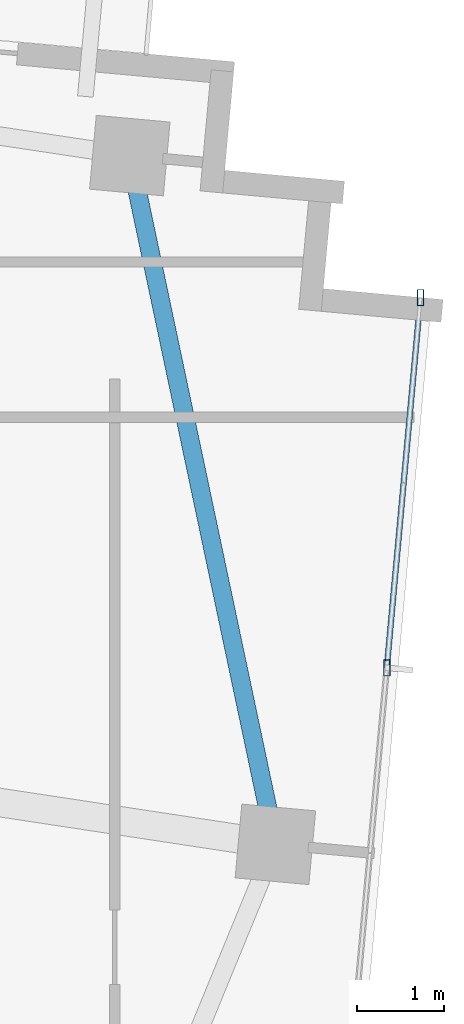
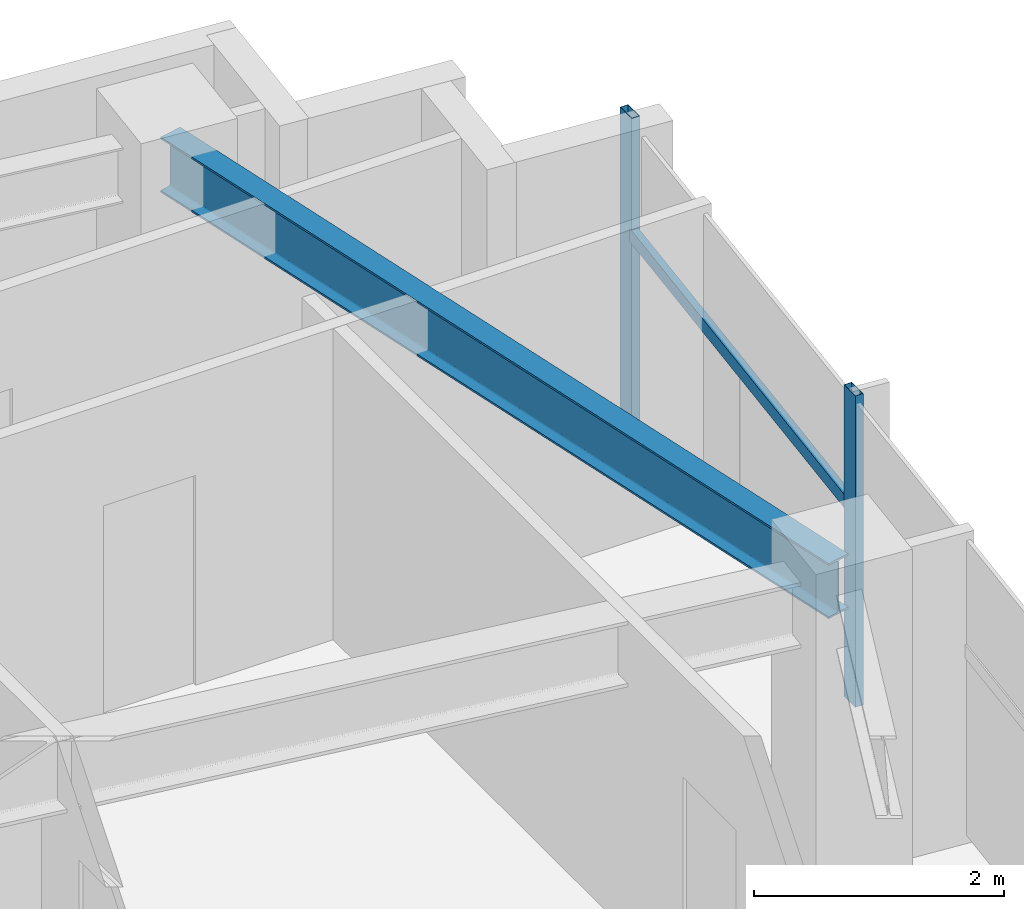
# One storey, part 14 of 22: 3 members, 1 beam, 1 element without a shape of its own.
"""IFC4 building model written with IfcOpenShell, lengths in metres."""

from ifc_helpers import new_model, si_unit, direction, frame, origin, origin_2d, place, context, subcontext, project, spatial, hollow_rectangle, i_section, extrude, source, transform, mapped, material, material_profile, profile_set, type_object, type_shapes, element, aggregate, save


model = new_model("IFC4")

# Units and contexts
model_context = context("Model", 3, precision=1e-05, world=origin(), true_north=direction((0.0, 1.0)))
body_context = subcontext(model_context, "Body", "Model", "MODEL_VIEW")
ifc_project = project(units=[si_unit("LENGTHUNIT", "METRE"), si_unit("AREAUNIT", "SQUARE_METRE"), si_unit("VOLUMEUNIT", "CUBIC_METRE"), si_unit("PLANEANGLEUNIT", "RADIAN"), si_unit("MASSUNIT", "GRAM", prefix="KILO")], contexts=[model_context])

# Site, building, storey
site_placement = place(None, origin())
site = spatial("IfcSite", under=ifc_project, at=site_placement, CompositionType="ELEMENT")
building_placement = place(site_placement, origin())
building = spatial("IfcBuilding", under=site, at=building_placement, Name="Astriad Promenade Condominiums", CompositionType="ELEMENT")
storey_placement = place(building_placement, frame((0.0, 0.0, 216.60009765625)))
storey = spatial("IfcBuildingStorey", under=building, at=storey_placement, Name="L62", CompositionType="ELEMENT", Elevation=216.60009765625)

# Beam
ifc_material_1 = material(Name="Steel ASTM A992 Grade 50", Category="steel")
ifc_material_profile_1 = material_profile(ifc_material_1, i_section(OverallWidth=0.210693359375, OverallDepth=0.53955078125, WebThickness=0.01171875, FlangeThickness=0.018798828125, FilletRadius=0.0166015625, at=origin_2d()), Name="W21X73")
ifc_profile_set_1 = profile_set([ifc_material_profile_1], Name="Steel ASTM A992 Grade 50")
beam_type = type_object("IfcBeamType", Name="STEEL SPANDREL BEAM W21X73", PredefinedType="SPANDREL", material=ifc_profile_set_1)
shared_shape_1 = source(origin(), body_context, "Body", "SweptSolid", [
    extrude(i_section(OverallWidth=0.210693359375, OverallDepth=0.53955078125, WebThickness=0.01171875, FlangeThickness=0.018798828125, FilletRadius=0.0166015625, at=origin_2d()), origin(), (0.0, 0.0, 1.0), 7.99853515625),
])
type_shapes(beam_type, [shared_shape_1])
beam_placement = place(storey_placement, frame((54.88037109375, 16.02880859375, 2.77001953125), z_axis=(-0.20676418926, 0.978390806396, 0.0), x_axis=(-0.978390806396, -0.20676418926, 0.0)))
element("IfcBeam", 1, at=beam_placement, inside=storey, type_object=beam_type, Name="Perimeter Spandrel Beam SP-E2-L62", PredefinedType="SPANDREL", context=body_context, shape_type="MappedRepresentation", body=[
    mapped(shared_shape_1, transform((0.0, 0.0, 0.0), scale=1.0)),
])

# Curtain wall, members
ifc_material_2 = material(Name="Anodised aluminium Black Dark Glass Unitised", Category="aluminium")
curtain_wall_type = type_object("IfcCurtainWallType", Name="CW-B5-DARK", PredefinedType="USERDEFINED", material=ifc_material_2)
curtain_wall_placement = place(storey_placement, origin())
curtain_wall = element("IfcCurtainWall", 2, at=curtain_wall_placement, inside=storey, type_object=curtain_wall_type, Name="CW-L62-E", ObjectType="UNITISED_CURTAIN_WALL", PredefinedType="USERDEFINED")
ifc_material_3 = material(Name="Anodised aluminium 6063-T6 Black", Category="aluminium")
ifc_material_profile_2 = material_profile(ifc_material_3, hollow_rectangle(XDim=0.074951171875, YDim=0.18505859375, WallThickness=0.00439453125, at=origin_2d()), Name="ALU-MUL-75X185")
ifc_profile_set_2 = profile_set([ifc_material_profile_2], Name="Anodised aluminium 6063-T6 Black")
member_type_1 = type_object("IfcMemberType", Name="MUL-ALU-MUL-75X185", PredefinedType="MULLION", material=ifc_profile_set_2)
shared_shape_2 = source(origin(), body_context, "Body", "SweptSolid", [
    extrude(hollow_rectangle(XDim=0.074951171875, YDim=0.18505859375, WallThickness=0.00439453125, at=origin_2d()), origin(), (0.0, 0.0, 1.0), 3.039794921875),
])
type_shapes(member_type_1, [shared_shape_2])
member_1_placement = place(storey_placement, frame((56.55419921875, 22.2646484375, 0.0), z_axis=(0.0, 0.0, 1.0), x_axis=(1.0, 0.0, 0.0)))
member_1 = element("IfcMember", 3, at=member_1_placement, type_object=member_type_1, Name="CW-L62-E-MUL-00", PredefinedType="MULLION", context=body_context, shape_type="MappedRepresentation", body=[
    mapped(shared_shape_2, transform((0.0, 0.0, 0.0), scale=1.0)),
])
member_2_placement = place(storey_placement, frame((56.16748046875, 18.015625, 0.0), z_axis=(0.0, 0.0, 1.0), x_axis=(1.0, 0.0, 0.0)))
member_2 = element("IfcMember", 4, at=member_2_placement, type_object=member_type_1, Name="CW-L62-E-MUL-01", PredefinedType="MULLION", context=body_context, shape_type="MappedRepresentation", body=[
    mapped(shared_shape_2, transform((0.0, 0.0, 0.0), scale=1.0)),
])
ifc_material_profile_3 = material_profile(ifc_material_3, hollow_rectangle(XDim=0.06494140625, YDim=0.1298828125, WallThickness=0.00390625, at=origin_2d()), Name="ALU-TRN-65X130")
ifc_profile_set_3 = profile_set([ifc_material_profile_3], Name="Anodised aluminium 6063-T6 Black")
member_type_2 = type_object("IfcMemberType", Name="TRN-ALU-TRN-65X130", PredefinedType="USERDEFINED", material=ifc_profile_set_3)
shared_shape_3 = source(origin(), body_context, "Body", "SweptSolid", [
    extrude(hollow_rectangle(XDim=0.06494140625, YDim=0.1298828125, WallThickness=0.00390625, at=origin_2d()), origin(), (0.0, 0.0, 1.0), 4.2666015625),
])
type_shapes(member_type_2, [shared_shape_3])
member_3_placement = place(storey_placement, frame((56.55419921875, 22.2646484375, 1.884765625), z_axis=(-0.090638931954, -0.99588382054, 0.0), x_axis=(0.99588382054, -0.090638931954, 0.0)))
member_3 = element("IfcMember", 5, at=member_3_placement, type_object=member_type_2, Name="CW-L62-E-TRN-00-0", ObjectType="TRANSOM", PredefinedType="USERDEFINED", context=body_context, shape_type="MappedRepresentation", body=[
    mapped(shared_shape_3, transform((0.0, 0.0, 0.0), scale=1.0)),
])
aggregate(curtain_wall, [member_1, member_2, member_3])

save(model, "model.ifc")
